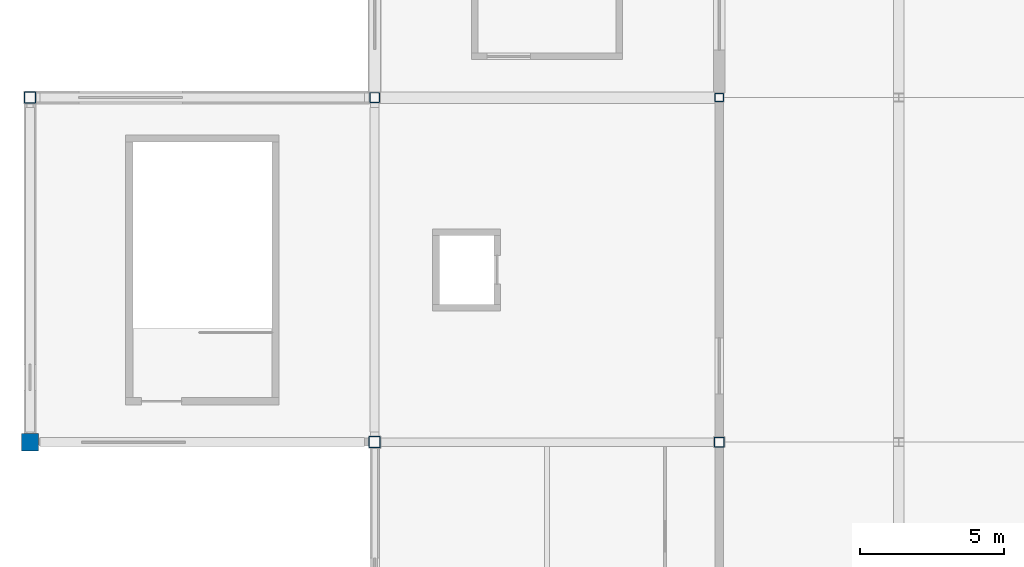
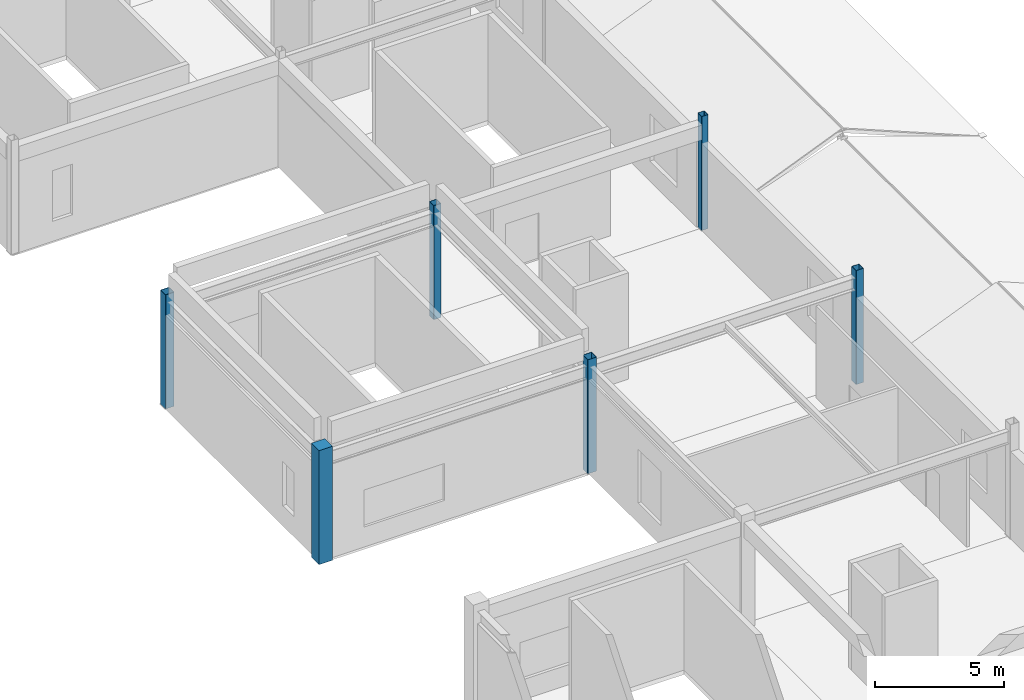
# One storey, part 7 of 76: 6 columns.
"""IFC4 building model written with IfcOpenShell, lengths in metres."""

from ifc_helpers import new_model, si_unit, direction, frame, origin, origin_2d, place, context, subcontext, project, spatial, rectangle, hollow_rectangle, extrude, material, material_profile, profile_set, type_object, element, save


model = new_model("IFC4")

# Units and contexts
model_context = context("Model", 3, precision=1e-05, world=origin(), true_north=direction((0.0, 1.0)))
body_context = subcontext(model_context, "Body", "Model", "MODEL_VIEW")
ifc_project = project(units=[si_unit("LENGTHUNIT", "METRE"), si_unit("AREAUNIT", "SQUARE_METRE"), si_unit("VOLUMEUNIT", "CUBIC_METRE"), si_unit("PLANEANGLEUNIT", "RADIAN"), si_unit("MASSUNIT", "GRAM", prefix="KILO")], contexts=[model_context])

# Site, building, storey
site_placement = place(None, origin())
site = spatial("IfcSite", under=ifc_project, at=site_placement, CompositionType="ELEMENT")
building_placement = place(site_placement, origin())
building = spatial("IfcBuilding", under=site, at=building_placement, Name="Kazenohara Klinker Stadium", CompositionType="ELEMENT")
storey_placement = place(building_placement, frame((0.0, 0.0, 25.800048828125)))
storey = spatial("IfcBuildingStorey", under=building, at=storey_placement, Name="L05", CompositionType="ELEMENT", Elevation=25.800048828125)

# Columns
ifc_material_1 = material(Name="Concrete C40/50", Category="concrete")
ifc_material_profile_1 = material_profile(ifc_material_1, rectangle(XDim=0.60009765625, YDim=0.60009765625, at=origin_2d()), Name="RC-COL-600x600")
ifc_profile_set_1 = profile_set([ifc_material_profile_1], Name="Concrete C40/50")
column_type_1 = type_object("IfcColumnType", Name="COL-RC07", PredefinedType="COLUMN", material=ifc_profile_set_1)
column_1_placement = place(storey_placement, frame((0.0, 84.0, 0.0), z_axis=(0.0, 0.0, 1.0), x_axis=(1.0, 0.0, 0.0)))
element("IfcColumn", 1, at=column_1_placement, inside=storey, type_object=column_type_1, Name="Column C07 L05 1/H", PredefinedType="COLUMN", context=body_context, shape_type="SweptSolid", body=[
    extrude(rectangle(XDim=0.60009765625, YDim=0.60009765625, at=origin_2d()), origin(), (0.0, 0.0, 1.0), 5.39990234375),
])
ifc_material_2 = material(Name="Steel S355", Category="steel")
ifc_material_profile_2 = material_profile(ifc_material_2, hollow_rectangle(XDim=0.39990234375, YDim=0.39990234375, WallThickness=0.01611328125, InnerFilletRadius=0.01611328125, OuterFilletRadius=0.031982421875, at=origin_2d()), Name="SHS-400x400x16")
ifc_profile_set_2 = profile_set([ifc_material_profile_2], Name="Steel S355")
column_type_2 = type_object("IfcColumnType", Name="COL-ST01", PredefinedType="COLUMN", material=ifc_profile_set_2)
for number, where, z_axis, x_axis, name in (
    (2, (0.0, 96.0, 0.0), (0.0, 0.0, 1.0), (1.0, 0.0, 0.0), "Column SC01 L05 1/J"),
    (3, (12.0, 84.0, 0.0), (0.0, 0.0, 1.0), (1.0, 0.0, 0.0), "Column SC01 L05 2/H"),
):
    element("IfcColumn", number, at=place(storey_placement, frame(where, z_axis=z_axis, x_axis=x_axis)), inside=storey, type_object=column_type_2, Name=name, PredefinedType="COLUMN", context=body_context, shape_type="SweptSolid", body=[
        extrude(hollow_rectangle(XDim=0.39990234375, YDim=0.39990234375, WallThickness=0.01611328125, InnerFilletRadius=0.01611328125, OuterFilletRadius=0.031982421875, at=origin_2d()), origin(), (0.0, 0.0, 1.0), 5.39990234375),
    ])
ifc_material_profile_3 = material_profile(ifc_material_2, hollow_rectangle(XDim=0.35009765625, YDim=0.35009765625, WallThickness=0.01611328125, InnerFilletRadius=0.01611328125, OuterFilletRadius=0.031982421875, at=origin_2d()), Name="SHS-350x350x16")
ifc_profile_set_3 = profile_set([ifc_material_profile_3], Name="Steel S355")
column_type_3 = type_object("IfcColumnType", Name="COL-ST02", PredefinedType="COLUMN", material=ifc_profile_set_3)
for number, where, z_axis, x_axis, name in (
    (4, (12.0, 96.0, 0.0), (0.0, 0.0, 1.0), (1.0, 0.0, 0.0), "Column SC02 L05 2/J"),
    (5, (24.0, 84.0, 0.0), (0.0, 0.0, 1.0), (1.0, 0.0, 0.0), "Column SC02 L05 3/H"),
):
    element("IfcColumn", number, at=place(storey_placement, frame(where, z_axis=z_axis, x_axis=x_axis)), inside=storey, type_object=column_type_3, Name=name, PredefinedType="COLUMN", context=body_context, shape_type="SweptSolid", body=[
        extrude(hollow_rectangle(XDim=0.35009765625, YDim=0.35009765625, WallThickness=0.01611328125, InnerFilletRadius=0.01611328125, OuterFilletRadius=0.031982421875, at=origin_2d()), origin(), (0.0, 0.0, 1.0), 5.39990234375),
    ])
ifc_material_profile_4 = material_profile(ifc_material_2, hollow_rectangle(XDim=0.300048828125, YDim=0.300048828125, WallThickness=0.011962890625, InnerFilletRadius=0.011962890625, OuterFilletRadius=0.02392578125, at=origin_2d()), Name="SHS-300x300x12")
ifc_profile_set_4 = profile_set([ifc_material_profile_4], Name="Steel S355")
column_type_4 = type_object("IfcColumnType", Name="COL-ST03", PredefinedType="COLUMN", material=ifc_profile_set_4)
column_2_placement = place(storey_placement, frame((24.0, 96.0, 0.0), z_axis=(0.0, 0.0, 1.0), x_axis=(1.0, 0.0, 0.0)))
element("IfcColumn", 6, at=column_2_placement, inside=storey, type_object=column_type_4, Name="Column SC03 L05 3/J", PredefinedType="COLUMN", context=body_context, shape_type="SweptSolid", body=[
    extrude(hollow_rectangle(XDim=0.300048828125, YDim=0.300048828125, WallThickness=0.011962890625, InnerFilletRadius=0.011962890625, OuterFilletRadius=0.02392578125, at=origin_2d()), origin(), (0.0, 0.0, 1.0), 5.39990234375),
])

save(model, "model.ifc")
